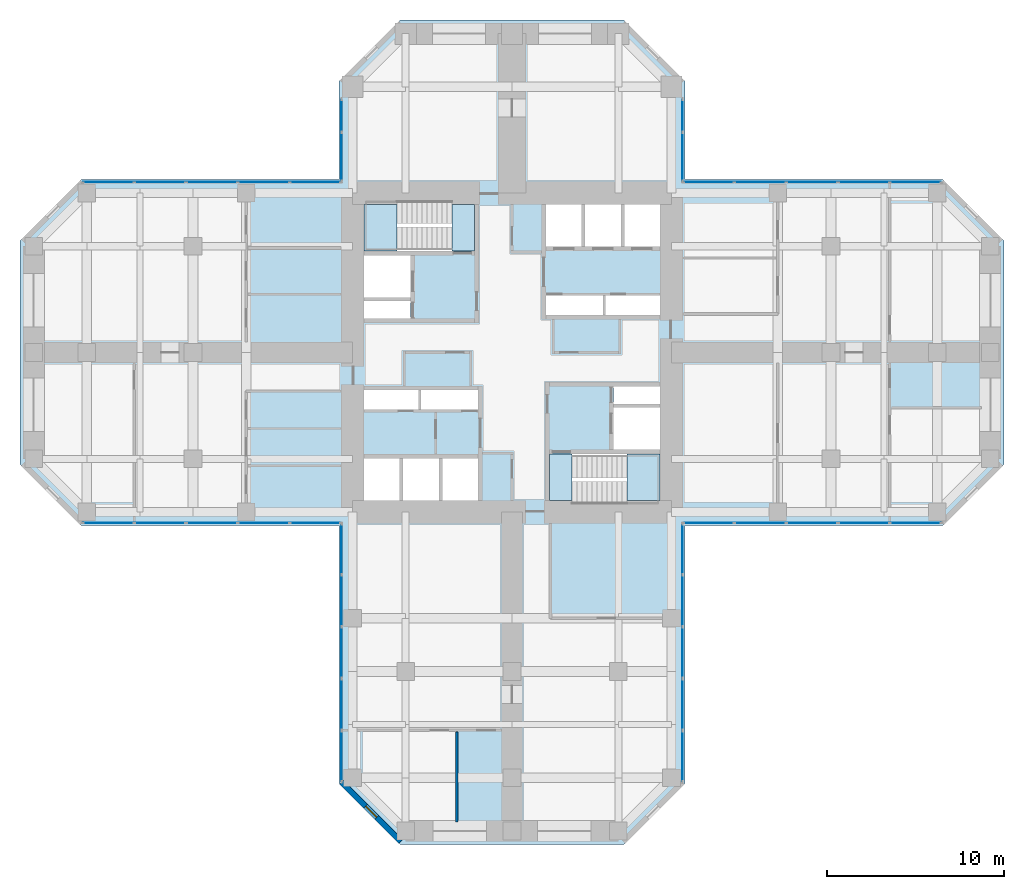
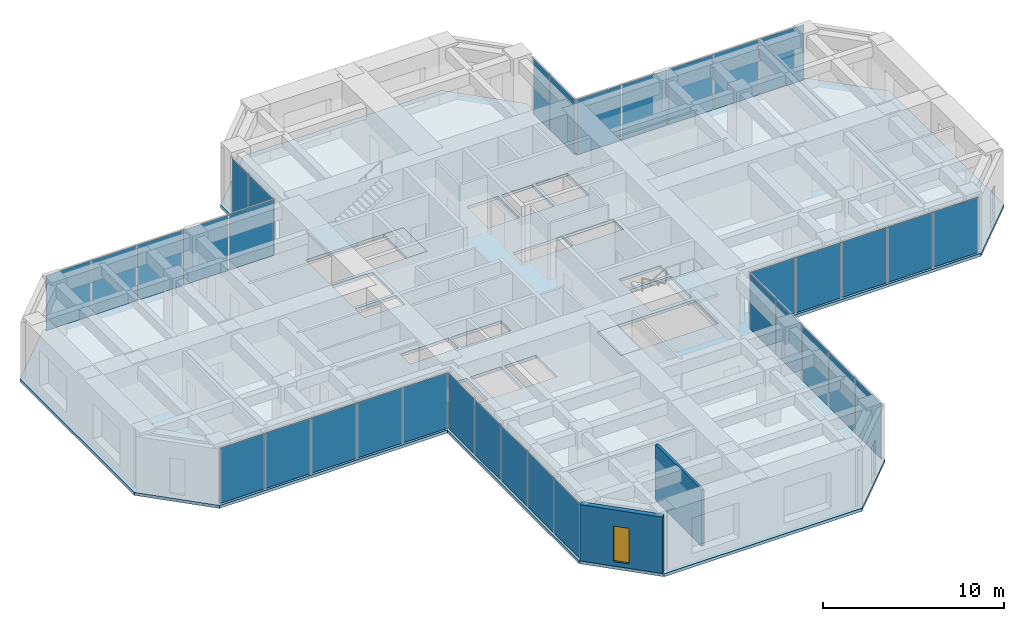
# One storey, part 7 of 12: 34 plates, 5 slabs, 2 walls, 1 window, 1 opening, 10 elements without a shape of their own.
"""IFC4 building model written with IfcOpenShell, lengths in metres."""

from ifc_helpers import new_model, si_unit, direction, frame, frame_2d, origin, origin_2d, place, context, subcontext, project, spatial, polyline, rectangle, hollow_rectangle, outline, extrude, material, layer, layer_set, constituent, constituent_set, type_object, element, fill, aggregate, save


model = new_model("IFC4")

# Units and contexts
model_context = context("Model", 3, precision=1e-05, world=origin(), true_north=direction((0.0, 1.0)))
body_context = subcontext(model_context, "Body", "Model", "MODEL_VIEW")
ifc_project = project(units=[si_unit("LENGTHUNIT", "METRE"), si_unit("AREAUNIT", "SQUARE_METRE"), si_unit("VOLUMEUNIT", "CUBIC_METRE"), si_unit("PLANEANGLEUNIT", "RADIAN"), si_unit("MASSUNIT", "GRAM", prefix="KILO")], contexts=[model_context])

# Site, building, storey
site_placement = place(None, origin())
site = spatial("IfcSite", under=ifc_project, at=site_placement, CompositionType="ELEMENT")
building_placement = place(site_placement, origin())
building = spatial("IfcBuilding", under=site, at=building_placement, Name="Torre Cruceta", CompositionType="ELEMENT")
storey_placement = place(building_placement, frame((0.0, 0.0, 104.5)))
storey = spatial("IfcBuildingStorey", under=building, at=storey_placement, Name="L25", CompositionType="ELEMENT", Elevation=104.5)

# Curtain wall, plate
ifc_material_1 = material(Name="Aluminium unitised curtain wall", Category="aluminium")
curtain_wall_type = type_object("IfcCurtainWallType", Name="CURTAIN WALL CW-B OFFICE MID RISE", PredefinedType="USERDEFINED", material=ifc_material_1)
curtain_wall_1_placement = place(storey_placement, origin())
curtain_wall_1 = element("IfcCurtainWall", 1, at=curtain_wall_1_placement, inside=storey, type_object=curtain_wall_type, Name="CW-B L25 E side 00", ObjectType="UNITISED", PredefinedType="USERDEFINED")
ifc_material_2 = material(Name="Laminated insulating glass unit, diagonal frit 50 %", Category="glass")
ifc_material_3 = material(Name="Laminated insulating glass unit, diagonal frit 50 %", Category="glass")
ifc_layer_1 = layer(ifc_material_3, 0.031982421875)
ifc_layer_set_1 = layer_set([ifc_layer_1], Name="Laminated insulating glass unit, diagonal frit 50 %")
plate_type_1 = type_object("IfcPlateType", Name="CW-B OPERABLE VENT PANEL 32", PredefinedType="CURTAIN_PANEL", material=ifc_layer_set_1)
plate_1_placement = place(storey_placement, frame((16.9384765625, -9.6201171875, 0.010009765625), z_axis=(0.0, 0.0, 1.0), x_axis=(1.0, 0.0, 0.0)))
plate_1 = element("IfcPlate", 2, at=plate_1_placement, type_object=plate_type_1, material=ifc_material_2, Name="CW-B vent 3", PredefinedType="CURTAIN_PANEL", context=body_context, shape_type="SweptSolid", body=[
    extrude(rectangle(XDim=2.8623046875, YDim=0.031982421875, at=origin_2d()), origin(), (0.0, 0.0, 1.0), 3.72509765625),
])

curtain_wall_2_placement = place(storey_placement, origin())
curtain_wall_2 = element("IfcCurtainWall", 3, at=curtain_wall_2_placement, inside=storey, type_object=curtain_wall_type, Name="CW-B L25 E side 04", ObjectType="UNITISED", PredefinedType="USERDEFINED")
plate_2_placement = place(storey_placement, frame((16.9384765625, 9.6201171875, 0.010009765625), z_axis=(0.0, 0.0, 1.0), x_axis=(-1.0, 0.0, 0.0)))
plate_2 = element("IfcPlate", 4, at=plate_2_placement, type_object=plate_type_1, material=ifc_material_2, Name="CW-B vent 3", PredefinedType="CURTAIN_PANEL", context=body_context, shape_type="SweptSolid", body=[
    extrude(rectangle(XDim=2.8623046875, YDim=0.031982421875, at=origin_2d()), origin(), (0.0, 0.0, 1.0), 3.72509765625),
])

curtain_wall_3_placement = place(storey_placement, origin())
curtain_wall_3 = element("IfcCurtainWall", 5, at=curtain_wall_3_placement, inside=storey, type_object=curtain_wall_type, Name="CW-B L25 W side 10", ObjectType="UNITISED", PredefinedType="USERDEFINED")
plate_3_placement = place(storey_placement, frame((-16.9384765625, 9.6201171875, 0.010009765625), z_axis=(0.0, 0.0, 1.0), x_axis=(-1.0, 0.0, 0.0)))
plate_3 = element("IfcPlate", 6, at=plate_3_placement, type_object=plate_type_1, material=ifc_material_2, Name="CW-B vent 3", PredefinedType="CURTAIN_PANEL", context=body_context, shape_type="SweptSolid", body=[
    extrude(rectangle(XDim=2.8623046875, YDim=0.031982421875, at=origin_2d()), origin(), (0.0, 0.0, 1.0), 3.72509765625),
])

curtain_wall_4_placement = place(storey_placement, origin())
curtain_wall_4 = element("IfcCurtainWall", 7, at=curtain_wall_4_placement, inside=storey, type_object=curtain_wall_type, Name="CW-B L25 W side 14", ObjectType="UNITISED", PredefinedType="USERDEFINED")
plate_4_placement = place(storey_placement, frame((-16.9384765625, -9.6201171875, 0.010009765625), z_axis=(0.0, 0.0, 1.0), x_axis=(1.0, 0.0, 0.0)))
plate_4 = element("IfcPlate", 8, at=plate_4_placement, type_object=plate_type_1, material=ifc_material_2, Name="CW-B vent 3", PredefinedType="CURTAIN_PANEL", context=body_context, shape_type="SweptSolid", body=[
    extrude(rectangle(XDim=2.8623046875, YDim=0.031982421875, at=origin_2d()), origin(), (0.0, 0.0, 1.0), 3.72509765625),
])

curtain_wall_5_placement = place(storey_placement, origin())
curtain_wall_5 = element("IfcCurtainWall", 9, at=curtain_wall_5_placement, inside=storey, type_object=curtain_wall_type, Name="CW-B L25 S side 15", ObjectType="UNITISED", PredefinedType="USERDEFINED")
plate_5_placement = place(storey_placement, frame((-9.6201171875, -16.9384765625, 0.010009765625), z_axis=(0.0, 0.0, 1.0), x_axis=(0.0, -1.0, 0.0)))
plate_5 = element("IfcPlate", 10, at=plate_5_placement, type_object=plate_type_1, material=ifc_material_2, Name="CW-B vent 3", PredefinedType="CURTAIN_PANEL", context=body_context, shape_type="SweptSolid", body=[
    extrude(rectangle(XDim=2.8623046875, YDim=0.031982421875, at=origin_2d()), origin(), (0.0, 0.0, 1.0), 3.72509765625),
])

curtain_wall_6_placement = place(storey_placement, origin())
curtain_wall_6 = element("IfcCurtainWall", 11, at=curtain_wall_6_placement, inside=storey, type_object=curtain_wall_type, Name="CW-B L25 S side 19", ObjectType="UNITISED", PredefinedType="USERDEFINED")
plate_6_placement = place(storey_placement, frame((9.6201171875, -16.9384765625, 0.010009765625), z_axis=(0.0, 0.0, 1.0), x_axis=(0.0, 1.0, 0.0)))
plate_6 = element("IfcPlate", 12, at=plate_6_placement, type_object=plate_type_1, material=ifc_material_2, Name="CW-B vent 3", PredefinedType="CURTAIN_PANEL", context=body_context, shape_type="SweptSolid", body=[
    extrude(rectangle(XDim=2.8623046875, YDim=0.031982421875, at=origin_2d()), origin(), (0.0, 0.0, 1.0), 3.72509765625),
])

# Plate
ifc_material_4 = material(Name="Laminated insulating glass unit, low-iron clear", Category="glass")
ifc_material_5 = material(Name="Laminated insulating glass unit, diagonal frit 50 %", Category="glass")
ifc_layer_2 = layer(ifc_material_5, 0.031982421875)
ifc_layer_set_2 = layer_set([ifc_layer_2], Name="Laminated insulating glass unit, diagonal frit 50 %")
plate_type_2 = type_object("IfcPlateType", Name="CW-B PANEL 32", PredefinedType="CURTAIN_PANEL", material=ifc_layer_set_2)
plate_7_placement = place(storey_placement, frame((11.099853515625, -9.6201171875, 0.010009765625), z_axis=(0.0, 0.0, 1.0), x_axis=(1.0, 0.0, 0.0)))
plate_7 = element("IfcPlate", 13, at=plate_7_placement, type_object=plate_type_2, material=ifc_material_4, Name="CW-B panel 1", PredefinedType="CURTAIN_PANEL", context=body_context, shape_type="SweptSolid", body=[
    extrude(rectangle(XDim=2.829833984375, YDim=0.031982421875, at=origin_2d()), origin(), (0.0, 0.0, 1.0), 3.72509765625),
])

plate_8_placement = place(storey_placement, frame((14.010986328125, -9.6201171875, 0.010009765625), z_axis=(0.0, 0.0, 1.0), x_axis=(1.0, 0.0, 0.0)))
plate_8 = element("IfcPlate", 14, at=plate_8_placement, type_object=plate_type_2, material=ifc_material_2, Name="CW-B panel 2", PredefinedType="CURTAIN_PANEL", context=body_context, shape_type="SweptSolid", body=[
    extrude(rectangle(XDim=2.8623046875, YDim=0.031982421875, at=origin_2d()), origin(), (0.0, 0.0, 1.0), 3.72509765625),
])

plate_9_placement = place(storey_placement, frame((19.86572265625, -9.6201171875, 0.010009765625), z_axis=(0.0, 0.0, 1.0), x_axis=(1.0, 0.0, 0.0)))
plate_9 = element("IfcPlate", 15, at=plate_9_placement, type_object=plate_type_2, material=ifc_material_2, Name="CW-B panel 4", PredefinedType="CURTAIN_PANEL", context=body_context, shape_type="SweptSolid", body=[
    extrude(rectangle(XDim=2.8623046875, YDim=0.031982421875, at=origin_2d()), origin(), (0.0, 0.0, 1.0), 3.72509765625),
])

plate_10_placement = place(storey_placement, frame((22.77685546875, -9.6201171875, 0.010009765625), z_axis=(0.0, 0.0, 1.0), x_axis=(1.0, 0.0, 0.0)))
plate_10 = element("IfcPlate", 16, at=plate_10_placement, type_object=plate_type_2, material=ifc_material_2, Name="CW-B panel 5", PredefinedType="CURTAIN_PANEL", context=body_context, shape_type="SweptSolid", body=[
    extrude(rectangle(XDim=2.829833984375, YDim=0.031982421875, at=origin_2d()), origin(), (0.0, 0.0, 1.0), 3.72509765625),
])

aggregate(curtain_wall_1, [plate_7, plate_8, plate_1, plate_9, plate_10])

plate_11_placement = place(storey_placement, frame((22.77685546875, 9.6201171875, 0.010009765625), z_axis=(0.0, 0.0, 1.0), x_axis=(-1.0, 0.0, 0.0)))
plate_11 = element("IfcPlate", 17, at=plate_11_placement, type_object=plate_type_2, material=ifc_material_4, Name="CW-B panel 1", PredefinedType="CURTAIN_PANEL", context=body_context, shape_type="SweptSolid", body=[
    extrude(rectangle(XDim=2.829833984375, YDim=0.031982421875, at=origin_2d()), origin(), (0.0, 0.0, 1.0), 3.72509765625),
])

plate_12_placement = place(storey_placement, frame((19.86572265625, 9.6201171875, 0.010009765625), z_axis=(0.0, 0.0, 1.0), x_axis=(-1.0, 0.0, 0.0)))
plate_12 = element("IfcPlate", 18, at=plate_12_placement, type_object=plate_type_2, material=ifc_material_2, Name="CW-B panel 2", PredefinedType="CURTAIN_PANEL", context=body_context, shape_type="SweptSolid", body=[
    extrude(rectangle(XDim=2.8623046875, YDim=0.031982421875, at=origin_2d()), origin(), (0.0, 0.0, 1.0), 3.72509765625),
])

plate_13_placement = place(storey_placement, frame((14.010986328125, 9.6201171875, 0.010009765625), z_axis=(0.0, 0.0, 1.0), x_axis=(-1.0, 0.0, 0.0)))
plate_13 = element("IfcPlate", 19, at=plate_13_placement, type_object=plate_type_2, material=ifc_material_2, Name="CW-B panel 4", PredefinedType="CURTAIN_PANEL", context=body_context, shape_type="SweptSolid", body=[
    extrude(rectangle(XDim=2.8623046875, YDim=0.031982421875, at=origin_2d()), origin(), (0.0, 0.0, 1.0), 3.72509765625),
])

plate_14_placement = place(storey_placement, frame((11.099853515625, 9.6201171875, 0.010009765625), z_axis=(0.0, 0.0, 1.0), x_axis=(-1.0, 0.0, 0.0)))
plate_14 = element("IfcPlate", 20, at=plate_14_placement, type_object=plate_type_2, material=ifc_material_2, Name="CW-B panel 5", PredefinedType="CURTAIN_PANEL", context=body_context, shape_type="SweptSolid", body=[
    extrude(rectangle(XDim=2.829833984375, YDim=0.031982421875, at=origin_2d()), origin(), (0.0, 0.0, 1.0), 3.72509765625),
])

aggregate(curtain_wall_2, [plate_11, plate_12, plate_2, plate_13, plate_14])

# Curtain wall, plates
curtain_wall_7_placement = place(storey_placement, origin())
curtain_wall_7 = element("IfcCurtainWall", 21, at=curtain_wall_7_placement, inside=storey, type_object=curtain_wall_type, Name="CW-B L25 N side 05", ObjectType="UNITISED", PredefinedType="USERDEFINED")
plate_15_placement = place(storey_placement, frame((9.6201171875, 11.04541015625, 0.010009765625), z_axis=(0.0, 0.0, 1.0), x_axis=(0.0, 1.0, 0.0)))
plate_15 = element("IfcPlate", 22, at=plate_15_placement, type_object=plate_type_2, material=ifc_material_4, Name="CW-B panel 1", PredefinedType="CURTAIN_PANEL", context=body_context, shape_type="SweptSolid", body=[
    extrude(rectangle(XDim=2.720947265625, YDim=0.031982421875, at=origin_2d()), origin(), (0.0, 0.0, 1.0), 3.72509765625),
])
plate_16_placement = place(storey_placement, frame((9.6201171875, 13.373779296875, 0.010009765625), z_axis=(0.0, 0.0, 1.0), x_axis=(0.0, 1.0, 0.0)))
plate_16 = element("IfcPlate", 23, at=plate_16_placement, type_object=plate_type_2, material=ifc_material_2, Name="CW-B panel 2", PredefinedType="CURTAIN_PANEL", context=body_context, shape_type="SweptSolid", body=[
    extrude(rectangle(XDim=1.8056640625, YDim=0.031982421875, at=origin_2d()), origin(), (0.0, 0.0, 1.0), 3.72509765625),
])
aggregate(curtain_wall_7, [plate_15, plate_16])

curtain_wall_8_placement = place(storey_placement, origin())
curtain_wall_8 = element("IfcCurtainWall", 24, at=curtain_wall_8_placement, inside=storey, type_object=curtain_wall_type, Name="CW-B L25 N side 09", ObjectType="UNITISED", PredefinedType="USERDEFINED")
plate_17_placement = place(storey_placement, frame((-9.6201171875, 13.373779296875, 0.010009765625), z_axis=(0.0, 0.0, 1.0), x_axis=(0.0, -1.0, 0.0)))
plate_17 = element("IfcPlate", 25, at=plate_17_placement, type_object=plate_type_2, material=ifc_material_4, Name="CW-B panel 1", PredefinedType="CURTAIN_PANEL", context=body_context, shape_type="SweptSolid", body=[
    extrude(rectangle(XDim=1.8056640625, YDim=0.031982421875, at=origin_2d()), origin(), (0.0, 0.0, 1.0), 3.72509765625),
])
plate_18_placement = place(storey_placement, frame((-9.6201171875, 11.04541015625, 0.010009765625), z_axis=(0.0, 0.0, 1.0), x_axis=(0.0, -1.0, 0.0)))
plate_18 = element("IfcPlate", 26, at=plate_18_placement, type_object=plate_type_2, material=ifc_material_2, Name="CW-B panel 2", PredefinedType="CURTAIN_PANEL", context=body_context, shape_type="SweptSolid", body=[
    extrude(rectangle(XDim=2.720947265625, YDim=0.031982421875, at=origin_2d()), origin(), (0.0, 0.0, 1.0), 3.72509765625),
])
aggregate(curtain_wall_8, [plate_17, plate_18])

# Plate
plate_19_placement = place(storey_placement, frame((-11.099853515625, 9.6201171875, 0.010009765625), z_axis=(0.0, 0.0, 1.0), x_axis=(-1.0, 0.0, 0.0)))
plate_19 = element("IfcPlate", 27, at=plate_19_placement, type_object=plate_type_2, material=ifc_material_4, Name="CW-B panel 1", PredefinedType="CURTAIN_PANEL", context=body_context, shape_type="SweptSolid", body=[
    extrude(rectangle(XDim=2.829833984375, YDim=0.031982421875, at=origin_2d()), origin(), (0.0, 0.0, 1.0), 3.72509765625),
])

plate_20_placement = place(storey_placement, frame((-14.010986328125, 9.6201171875, 0.010009765625), z_axis=(0.0, 0.0, 1.0), x_axis=(-1.0, 0.0, 0.0)))
plate_20 = element("IfcPlate", 28, at=plate_20_placement, type_object=plate_type_2, material=ifc_material_2, Name="CW-B panel 2", PredefinedType="CURTAIN_PANEL", context=body_context, shape_type="SweptSolid", body=[
    extrude(rectangle(XDim=2.8623046875, YDim=0.031982421875, at=origin_2d()), origin(), (0.0, 0.0, 1.0), 3.72509765625),
])

plate_21_placement = place(storey_placement, frame((-19.86572265625, 9.6201171875, 0.010009765625), z_axis=(0.0, 0.0, 1.0), x_axis=(-1.0, 0.0, 0.0)))
plate_21 = element("IfcPlate", 29, at=plate_21_placement, type_object=plate_type_2, material=ifc_material_2, Name="CW-B panel 4", PredefinedType="CURTAIN_PANEL", context=body_context, shape_type="SweptSolid", body=[
    extrude(rectangle(XDim=2.8623046875, YDim=0.031982421875, at=origin_2d()), origin(), (0.0, 0.0, 1.0), 3.72509765625),
])

plate_22_placement = place(storey_placement, frame((-22.77685546875, 9.6201171875, 0.010009765625), z_axis=(0.0, 0.0, 1.0), x_axis=(-1.0, 0.0, 0.0)))
plate_22 = element("IfcPlate", 30, at=plate_22_placement, type_object=plate_type_2, material=ifc_material_2, Name="CW-B panel 5", PredefinedType="CURTAIN_PANEL", context=body_context, shape_type="SweptSolid", body=[
    extrude(rectangle(XDim=2.829833984375, YDim=0.031982421875, at=origin_2d()), origin(), (0.0, 0.0, 1.0), 3.72509765625),
])

aggregate(curtain_wall_3, [plate_19, plate_20, plate_3, plate_21, plate_22])

plate_23_placement = place(storey_placement, frame((-22.77685546875, -9.6201171875, 0.010009765625), z_axis=(0.0, 0.0, 1.0), x_axis=(1.0, 0.0, 0.0)))
plate_23 = element("IfcPlate", 31, at=plate_23_placement, type_object=plate_type_2, material=ifc_material_4, Name="CW-B panel 1", PredefinedType="CURTAIN_PANEL", context=body_context, shape_type="SweptSolid", body=[
    extrude(rectangle(XDim=2.829833984375, YDim=0.031982421875, at=origin_2d()), origin(), (0.0, 0.0, 1.0), 3.72509765625),
])

plate_24_placement = place(storey_placement, frame((-19.86572265625, -9.6201171875, 0.010009765625), z_axis=(0.0, 0.0, 1.0), x_axis=(1.0, 0.0, 0.0)))
plate_24 = element("IfcPlate", 32, at=plate_24_placement, type_object=plate_type_2, material=ifc_material_2, Name="CW-B panel 2", PredefinedType="CURTAIN_PANEL", context=body_context, shape_type="SweptSolid", body=[
    extrude(rectangle(XDim=2.8623046875, YDim=0.031982421875, at=origin_2d()), origin(), (0.0, 0.0, 1.0), 3.72509765625),
])

plate_25_placement = place(storey_placement, frame((-14.010986328125, -9.6201171875, 0.010009765625), z_axis=(0.0, 0.0, 1.0), x_axis=(1.0, 0.0, 0.0)))
plate_25 = element("IfcPlate", 33, at=plate_25_placement, type_object=plate_type_2, material=ifc_material_2, Name="CW-B panel 4", PredefinedType="CURTAIN_PANEL", context=body_context, shape_type="SweptSolid", body=[
    extrude(rectangle(XDim=2.8623046875, YDim=0.031982421875, at=origin_2d()), origin(), (0.0, 0.0, 1.0), 3.72509765625),
])

plate_26_placement = place(storey_placement, frame((-11.099853515625, -9.6201171875, 0.010009765625), z_axis=(0.0, 0.0, 1.0), x_axis=(1.0, 0.0, 0.0)))
plate_26 = element("IfcPlate", 34, at=plate_26_placement, type_object=plate_type_2, material=ifc_material_2, Name="CW-B panel 5", PredefinedType="CURTAIN_PANEL", context=body_context, shape_type="SweptSolid", body=[
    extrude(rectangle(XDim=2.829833984375, YDim=0.031982421875, at=origin_2d()), origin(), (0.0, 0.0, 1.0), 3.72509765625),
])

aggregate(curtain_wall_4, [plate_23, plate_24, plate_4, plate_25, plate_26])

plate_27_placement = place(storey_placement, frame((-9.6201171875, -11.099853515625, 0.010009765625), z_axis=(0.0, 0.0, 1.0), x_axis=(0.0, -1.0, 0.0)))
plate_27 = element("IfcPlate", 35, at=plate_27_placement, type_object=plate_type_2, material=ifc_material_4, Name="CW-B panel 1", PredefinedType="CURTAIN_PANEL", context=body_context, shape_type="SweptSolid", body=[
    extrude(rectangle(XDim=2.829833984375, YDim=0.031982421875, at=origin_2d()), origin(), (0.0, 0.0, 1.0), 3.72509765625),
])

plate_28_placement = place(storey_placement, frame((-9.6201171875, -14.010986328125, 0.010009765625), z_axis=(0.0, 0.0, 1.0), x_axis=(0.0, -1.0, 0.0)))
plate_28 = element("IfcPlate", 36, at=plate_28_placement, type_object=plate_type_2, material=ifc_material_2, Name="CW-B panel 2", PredefinedType="CURTAIN_PANEL", context=body_context, shape_type="SweptSolid", body=[
    extrude(rectangle(XDim=2.8623046875, YDim=0.031982421875, at=origin_2d()), origin(), (0.0, 0.0, 1.0), 3.72509765625),
])

plate_29_placement = place(storey_placement, frame((-9.6201171875, -19.86572265625, 0.010009765625), z_axis=(0.0, 0.0, 1.0), x_axis=(0.0, -1.0, 0.0)))
plate_29 = element("IfcPlate", 37, at=plate_29_placement, type_object=plate_type_2, material=ifc_material_2, Name="CW-B panel 4", PredefinedType="CURTAIN_PANEL", context=body_context, shape_type="SweptSolid", body=[
    extrude(rectangle(XDim=2.8623046875, YDim=0.031982421875, at=origin_2d()), origin(), (0.0, 0.0, 1.0), 3.72509765625),
])

plate_30_placement = place(storey_placement, frame((-9.6201171875, -22.77685546875, 0.010009765625), z_axis=(0.0, 0.0, 1.0), x_axis=(0.0, -1.0, 0.0)))
plate_30 = element("IfcPlate", 38, at=plate_30_placement, type_object=plate_type_2, material=ifc_material_2, Name="CW-B panel 5", PredefinedType="CURTAIN_PANEL", context=body_context, shape_type="SweptSolid", body=[
    extrude(rectangle(XDim=2.829833984375, YDim=0.031982421875, at=origin_2d()), origin(), (0.0, 0.0, 1.0), 3.72509765625),
])

aggregate(curtain_wall_5, [plate_27, plate_28, plate_5, plate_29, plate_30])

plate_31_placement = place(storey_placement, frame((9.6201171875, -22.77685546875, 0.010009765625), z_axis=(0.0, 0.0, 1.0), x_axis=(0.0, 1.0, 0.0)))
plate_31 = element("IfcPlate", 39, at=plate_31_placement, type_object=plate_type_2, material=ifc_material_4, Name="CW-B panel 1", PredefinedType="CURTAIN_PANEL", context=body_context, shape_type="SweptSolid", body=[
    extrude(rectangle(XDim=2.829833984375, YDim=0.031982421875, at=origin_2d()), origin(), (0.0, 0.0, 1.0), 3.72509765625),
])

plate_32_placement = place(storey_placement, frame((9.6201171875, -19.86572265625, 0.010009765625), z_axis=(0.0, 0.0, 1.0), x_axis=(0.0, 1.0, 0.0)))
plate_32 = element("IfcPlate", 40, at=plate_32_placement, type_object=plate_type_2, material=ifc_material_2, Name="CW-B panel 2", PredefinedType="CURTAIN_PANEL", context=body_context, shape_type="SweptSolid", body=[
    extrude(rectangle(XDim=2.8623046875, YDim=0.031982421875, at=origin_2d()), origin(), (0.0, 0.0, 1.0), 3.72509765625),
])

plate_33_placement = place(storey_placement, frame((9.6201171875, -14.010986328125, 0.010009765625), z_axis=(0.0, 0.0, 1.0), x_axis=(0.0, 1.0, 0.0)))
plate_33 = element("IfcPlate", 41, at=plate_33_placement, type_object=plate_type_2, material=ifc_material_2, Name="CW-B panel 4", PredefinedType="CURTAIN_PANEL", context=body_context, shape_type="SweptSolid", body=[
    extrude(rectangle(XDim=2.8623046875, YDim=0.031982421875, at=origin_2d()), origin(), (0.0, 0.0, 1.0), 3.72509765625),
])

plate_34_placement = place(storey_placement, frame((9.6201171875, -11.099853515625, 0.010009765625), z_axis=(0.0, 0.0, 1.0), x_axis=(0.0, 1.0, 0.0)))
plate_34 = element("IfcPlate", 42, at=plate_34_placement, type_object=plate_type_2, material=ifc_material_2, Name="CW-B panel 5", PredefinedType="CURTAIN_PANEL", context=body_context, shape_type="SweptSolid", body=[
    extrude(rectangle(XDim=2.829833984375, YDim=0.031982421875, at=origin_2d()), origin(), (0.0, 0.0, 1.0), 3.72509765625),
])

aggregate(curtain_wall_6, [plate_31, plate_32, plate_6, plate_33, plate_34])

# Slab
ifc_material_6 = material(Name="Concrete G35 (fck 35 MPa)", Category="concrete")
ifc_layer_3 = layer(ifc_material_6, 0.199951171875)
ifc_layer_set_3 = layer_set([ifc_layer_3], Name="Concrete G35 (fck 35 MPa)")
slab_type_1 = type_object("IfcSlabType", Name="FLOOR SLAB 200", PredefinedType="FLOOR", material=ifc_layer_set_3)
slab_1_placement = place(storey_placement, frame((0.0, 0.0, -0.199951171875)))
element("IfcSlab", 43, at=slab_1_placement, inside=storey, type_object=slab_type_1, Name="Floor Slab L25", PredefinedType="FLOOR", context=body_context, shape_type="SweptSolid", body=[
    extrude(outline(polyline([(9.77001953125, -9.77001953125), (9.77001953125, -24.31884765625), (6.31884765625, -27.77001953125), (-6.31884765625, -27.77001953125), (-9.77001953125, -24.31884765625), (-9.77001953125, -9.77001953125), (-24.31884765625, -9.77001953125), (-27.77001953125, -6.31884765625), (-27.77001953125, 6.31884765625), (-24.31884765625, 9.77001953125), (-9.77001953125, 9.77001953125), (-9.77001953125, 15.31884765625), (-6.31884765625, 18.77001953125), (6.31884765625, 18.77001953125), (9.77001953125, 15.31884765625), (9.77001953125, 9.77001953125), (24.31884765625, 9.77001953125), (27.77001953125, 6.31884765625), (27.77001953125, -6.31884765625), (24.31884765625, -9.77001953125), (9.77001953125, -9.77001953125)]), holes=[polyline([(1.925048828125, 5.97509765625), (3.933349609375, 5.97509765625), (3.933349609375, 8.35009765625), (1.925048828125, 8.35009765625), (1.925048828125, 5.97509765625)]), polyline([(4.13330078125, 5.97509765625), (6.1416015625, 5.97509765625), (6.1416015625, 8.35009765625), (4.13330078125, 8.35009765625), (4.13330078125, 5.97509765625)]), polyline([(6.341552734375, 5.97509765625), (8.35009765625, 5.97509765625), (8.35009765625, 8.35009765625), (6.341552734375, 8.35009765625), (6.341552734375, 5.97509765625)]), polyline([(1.925048828125, 2.125), (5.125, 2.125), (5.125, 3.22509765625), (1.925048828125, 3.22509765625), (1.925048828125, 2.125)]), polyline([(5.27490234375, 2.125), (8.35009765625, 2.125), (8.35009765625, 3.22509765625), (5.27490234375, 3.22509765625), (5.27490234375, 2.125)]), polyline([(-8.35009765625, 3.10009765625), (-5.72509765625, 3.10009765625), (-5.72509765625, 5.47509765625), (-8.35009765625, 5.47509765625), (-8.35009765625, 3.10009765625)]), polyline([(-8.35009765625, 1.925048828125), (-5.72509765625, 1.925048828125), (-5.72509765625, 2.89990234375), (-8.35009765625, 2.89990234375), (-8.35009765625, 1.925048828125)]), polyline([(-3.933349609375, -8.35009765625), (-1.925048828125, -8.35009765625), (-1.925048828125, -5.97509765625), (-3.933349609375, -5.97509765625), (-3.933349609375, -8.35009765625)]), polyline([(-6.1416015625, -8.35009765625), (-4.13330078125, -8.35009765625), (-4.13330078125, -5.97509765625), (-6.1416015625, -5.97509765625), (-6.1416015625, -8.35009765625)]), polyline([(-8.35009765625, -8.35009765625), (-6.341552734375, -8.35009765625), (-6.341552734375, -5.97509765625), (-8.35009765625, -5.97509765625), (-8.35009765625, -8.35009765625)]), polyline([(-5.125, -3.22509765625), (-1.925048828125, -3.22509765625), (-1.925048828125, -2.125), (-5.125, -2.125), (-5.125, -3.22509765625)]), polyline([(-8.35009765625, -3.22509765625), (-5.27490234375, -3.22509765625), (-5.27490234375, -2.125), (-8.35009765625, -2.125), (-8.35009765625, -3.22509765625)]), polyline([(5.72509765625, -5.47509765625), (8.35009765625, -5.47509765625), (8.35009765625, -3.10009765625), (5.72509765625, -3.10009765625), (5.72509765625, -5.47509765625)]), polyline([(5.72509765625, -2.89990234375), (8.35009765625, -2.89990234375), (8.35009765625, -1.925048828125), (5.72509765625, -1.925048828125), (5.72509765625, -2.89990234375)]), polyline([(-8.35009765625, 5.72509765625), (-8.35009765625, 8.35009765625), (-3.39990234375, 8.35009765625), (-2.125, 8.35009765625), (-2.125, 5.72509765625), (-3.39990234375, 5.72509765625), (-8.35009765625, 5.72509765625)]), polyline([(2.125, -5.72509765625), (3.39990234375, -5.72509765625), (8.35009765625, -5.72509765625), (8.35009765625, -8.35009765625), (3.39990234375, -8.35009765625), (2.125, -8.35009765625), (2.125, -5.72509765625)])]), origin(), (0.0, 0.0, 1.0), 0.199951171875),
])

# Stair, slab
ifc_material_7 = material(Name="Concrete G30 (fck 30 MPa)", Category="concrete")
stair_type = type_object("IfcStairType", Name="STAIR HALF-TURN 1300", PredefinedType="HALF_TURN_STAIR", material=ifc_material_7)
stair_1_placement = place(storey_placement, origin())
stair_1 = element("IfcStair", 44, at=stair_1_placement, inside=storey, type_object=stair_type, Name="Stair ST1 L25", PredefinedType="HALF_TURN_STAIR")
ifc_material_8 = material(Name="Concrete G30 (fck 30 MPa)", Category="concrete")
ifc_layer_4 = layer(ifc_material_8, 0.199951171875)
ifc_layer_set_4 = layer_set([ifc_layer_4], Name="Concrete G30 (fck 30 MPa)")
slab_type_2 = type_object("IfcSlabType", Name="STAIR LANDING 200", PredefinedType="LANDING", material=ifc_layer_set_4)
slab_2_placement = place(storey_placement, frame((0.0, 0.0, 1.800048828125)))
slab_2 = element("IfcSlab", 45, at=slab_2_placement, type_object=slab_type_2, Name="ST1 landing 1", PredefinedType="LANDING", context=body_context, shape_type="SweptSolid", body=[
    extrude(outline(polyline([(-8.35009765625, 5.72509765625), (-6.47998046875, 5.72509765625), (-6.47998046875, 8.35009765625), (-8.35009765625, 8.35009765625), (-8.35009765625, 5.72509765625)])), origin(), (0.0, 0.0, 1.0), 0.199951171875),
])
aggregate(stair_1, [slab_2])

stair_2_placement = place(storey_placement, origin())
stair_2 = element("IfcStair", 46, at=stair_2_placement, inside=storey, type_object=stair_type, Name="Stair ST2 L25", PredefinedType="HALF_TURN_STAIR")
slab_3_placement = place(storey_placement, frame((0.0, 0.0, 1.800048828125)))
slab_3 = element("IfcSlab", 47, at=slab_3_placement, type_object=slab_type_2, Name="ST2 landing 1", PredefinedType="LANDING", context=body_context, shape_type="SweptSolid", body=[
    extrude(outline(polyline([(6.47998046875, -8.35009765625), (8.35009765625, -8.35009765625), (8.35009765625, -5.72509765625), (6.47998046875, -5.72509765625), (6.47998046875, -8.35009765625)])), origin(), (0.0, 0.0, 1.0), 0.199951171875),
])
aggregate(stair_2, [slab_3])

# Slabs
slab_4_placement = place(storey_placement, frame((0.0, 0.0, -0.199951171875)))
element("IfcSlab", 48, at=slab_4_placement, inside=storey, type_object=slab_type_2, Name="Stair ST1 floor landing L25", PredefinedType="LANDING", context=body_context, shape_type="SweptSolid", body=[
    extrude(outline(polyline([(-2.125, 8.35009765625), (-2.125, 5.72509765625), (-3.39990234375, 5.72509765625), (-3.39990234375, 8.35009765625), (-2.125, 8.35009765625)])), origin(), (0.0, 0.0, 1.0), 0.199951171875),
])
slab_5_placement = place(storey_placement, frame((0.0, 0.0, -0.199951171875)))
element("IfcSlab", 49, at=slab_5_placement, inside=storey, type_object=slab_type_2, Name="Stair ST2 floor landing L25", PredefinedType="LANDING", context=body_context, shape_type="SweptSolid", body=[
    extrude(outline(polyline([(2.125, -8.35009765625), (2.125, -5.72509765625), (3.39990234375, -5.72509765625), (3.39990234375, -8.35009765625), (2.125, -8.35009765625)])), origin(), (0.0, 0.0, 1.0), 0.199951171875),
])

# Wall, opening, window
ifc_material_9 = material(Name="Concrete G30 (fck 30 MPa)", Category="concrete")
ifc_layer_5 = layer(ifc_material_9, 0.300048828125)
ifc_layer_set_5 = layer_set([ifc_layer_5], Name="Concrete G30 (fck 30 MPa)")
wall_type_1 = type_object("IfcWallType", Name="EXPOSED CONCRETE FACADE WALL 300", PredefinedType="SOLIDWALL", material=ifc_layer_set_5)
wall_1_placement = place(storey_placement, frame((-9.6201171875, -24.2568359375, 0.0), z_axis=(0.0, 0.0, 1.0), x_axis=(0.707106781187, -0.707106781187, 0.0)))
wall_1 = element("IfcWall", 50, at=wall_1_placement, inside=storey, type_object=wall_type_1, Name="EW1 facade wall L25 S chamfer 16", PredefinedType="SOLIDWALL", context=body_context, shape_type="SweptSolid", body=[
    extrude(rectangle(XDim=4.72802734375, YDim=0.300048828125, at=frame_2d((2.364013671875, 0.0))), origin(), (0.0, 0.0, 1.0), 3.800048828125),
])
opening_placement = place(wall_1_placement, frame((1.9140625, 0.0, 0.300048828125)))
opening = element("IfcOpeningElement", 51, at=opening_placement, cuts=wall_1, Name="Opening WN5", PredefinedType="OPENING", context=body_context, shape_type="SweptSolid", body=[
    extrude(rectangle(XDim=0.89990234375, YDim=2.39990234375, at=frame_2d((0.449951171875, 1.199951171875))), frame((0.0, 0.159912109375, 0.0), z_axis=(0.0, -1.0, 0.0), x_axis=(1.0, 0.0, 0.0)), (0.0, 0.0, 1.0), 0.320068359375),
])
ifc_material_10 = material(Name="Aluminium window frame", Category="aluminium")
ifc_constituent_1 = constituent(ifc_material_10, Name="Frame")
ifc_material_11 = material(Name="Laminated insulating glass unit, low-iron clear", Category="glass")
ifc_constituent_2 = constituent(ifc_material_11, Name="Glazing")
ifc_constituent_set = constituent_set(constituents=[ifc_constituent_1, ifc_constituent_2], Name="Aluminium window")
window_type = type_object("IfcWindowType", Name="CHAMFER SLOT WINDOW 900X2400", PartitioningType="SINGLE_PANEL", PredefinedType="WINDOW", material=ifc_constituent_set)
window_placement = place(opening_placement, origin())
window = element("IfcWindow", 52, at=window_placement, inside=storey, type_object=window_type, Name="WN5 L25 S 1", OverallHeight=2.39990234375, OverallWidth=0.89990234375, PartitioningType="SINGLE_PANEL", PredefinedType="WINDOW", context=body_context, shape_type="SweptSolid", body=[
    extrude(hollow_rectangle(XDim=0.89990234375, YDim=2.39990234375, WallThickness=0.06005859375, at=frame_2d((0.449951171875, 1.199951171875))), frame((0.0, 0.030029296875, 0.0), z_axis=(0.0, -1.0, 0.0), x_axis=(1.0, 0.0, 0.0)), (0.0, 0.0, 1.0), 0.06005859375),
    extrude(rectangle(XDim=0.77880859375, YDim=2.27880859375, at=frame_2d((0.449951171875, 1.199951171875))), frame((0.0, 0.030029296875, 0.0), z_axis=(0.0, -1.0, 0.0), x_axis=(1.0, 0.0, 0.0)), (0.0, 0.0, 1.0), 0.06005859375),
])
fill(opening, window)

# Wall
ifc_material_12 = material(Name="Plasterboard on steel studs", Category="steel")
ifc_layer_6 = layer(ifc_material_12, 0.14990234375)
ifc_layer_set_6 = layer_set([ifc_layer_6], Name="Plasterboard on steel studs")
wall_type_2 = type_object("IfcWallType", Name="PARTITION 150", PredefinedType="PARTITIONING", material=ifc_layer_set_6)
wall_2_placement = place(storey_placement, frame((-3.117919921875, -21.419921875, 0.0), z_axis=(0.0, 0.0, 1.0), x_axis=(0.0, -1.0, 0.0)))
element("IfcWall", 53, at=wall_2_placement, inside=storey, type_object=wall_type_2, Name="PT1 L25-S-TDR", PredefinedType="PARTITIONING", context=body_context, shape_type="SweptSolid", body=[
    extrude(rectangle(XDim=5.080078125, YDim=0.14990234375, at=frame_2d((2.5400390625, 0.0))), origin(), (0.0, 0.0, 1.0), 3.800048828125),
])

save(model, "model.ifc")
